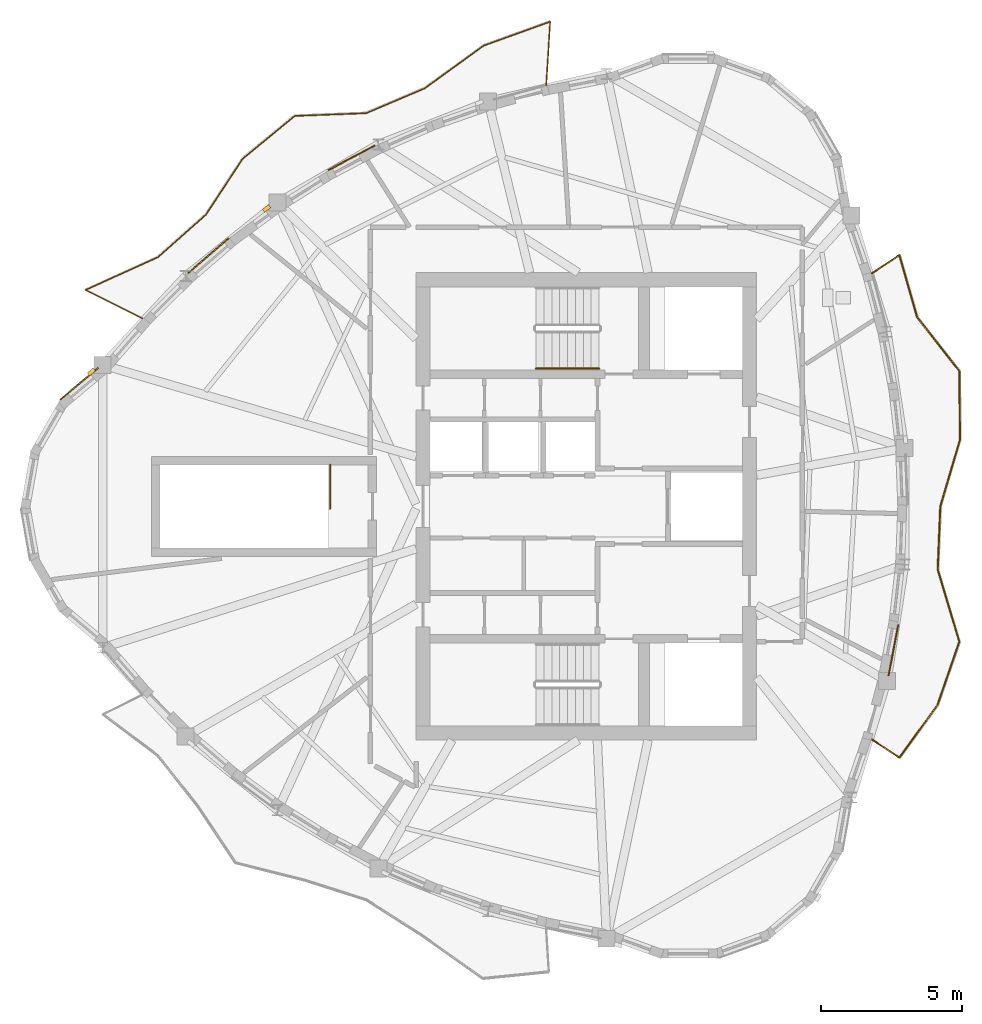
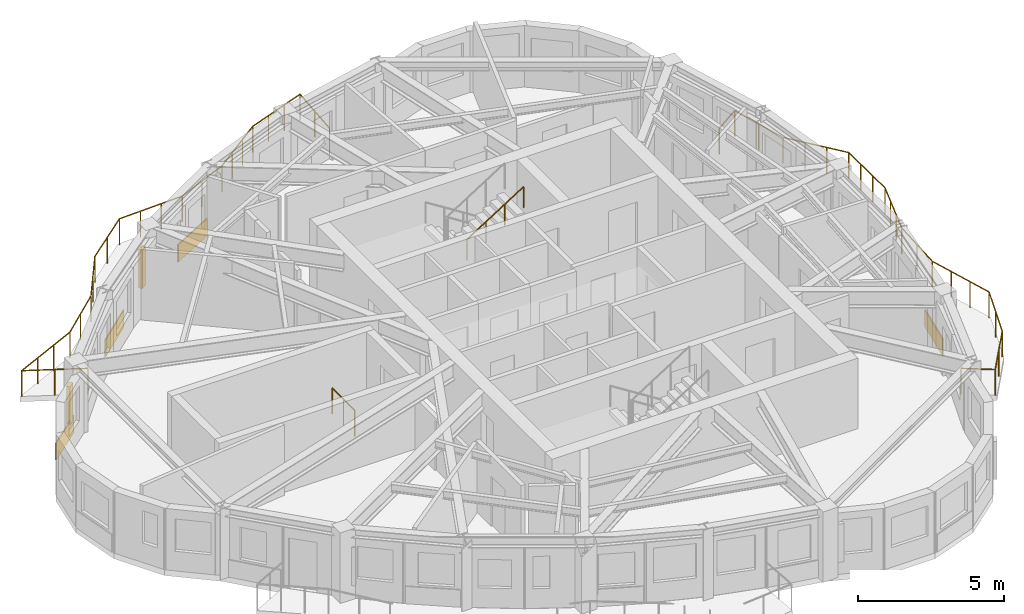
# One storey, part 10 of 12: 4 coverings, 4 railings, 2 shading devices.
"""IFC4 building model written with IfcOpenShell, lengths in metres."""

import ifcopenshell
import ifcopenshell.guid

model = None  # the IFC model being written
_history = None  # IfcOwnerHistory: only IFC2X3 demands one
_inside = {}  # id of a spatial element -> (the spatial element, [elements in it])
_under = {}  # id of a project, library or spatial element -> (it, [spatial elements below it])
_declared = {}  # id of a project -> (the project, [libraries it declares])
_typed = {}  # id of a type object -> (the type object, [elements of that type])
_made_of = {}  # id of a material, layer set ... -> (it, [elements and type objects made of it])


def new_model(schema):
    """Start an empty IFC model of exactly this schema.

    Asked for "IFC4X3", IfcOpenShell would pick the latest addendum, in which some entities
    have other attributes; the version numbers below select the first issue.
    IFC2X3 requires an IfcOwnerHistory on every rooted entity: one is made here for all.
    """
    global model, _history
    if schema == "IFC4X3":
        model = ifcopenshell.file(schema_version=(4, 3, 0, 0))
    else:
        model = ifcopenshell.file(schema=schema)
    _inside.clear()
    _under.clear()
    _declared.clear()
    _typed.clear()
    _made_of.clear()
    _history = None
    if model.schema == "IFC2X3":
        org = make("IfcOrganization", Name="unknown")
        user = make(
            "IfcPersonAndOrganization",
            ThePerson=make("IfcPerson", FamilyName="unknown"),
            TheOrganization=org,
        )
        app = make(
            "IfcApplication",
            ApplicationDeveloper=org,
            Version="unknown",
            ApplicationFullName="unknown",
            ApplicationIdentifier="unknown",
        )
        _history = make(
            "IfcOwnerHistory",
            OwningUser=user,
            OwningApplication=app,
            ChangeAction="ADDED",
            CreationDate=0,
        )
    return model


def make(cls, **values):
    """One entity of the class cls with the attributes given. An attribute that is None is left unset."""
    return model.create_entity(
        cls, **{name: value for name, value in values.items() if value is not None}
    )


def rooted(cls, **values):
    """An entity with a GlobalId (a new one), such as an element, a storey or a relation."""
    return make(cls, GlobalId=ifcopenshell.guid.new(), OwnerHistory=_history, **values)


def si_unit(unit_type, name, prefix=None):
    """IfcSIUnit, for example si_unit("LENGTHUNIT", "METRE", prefix="MILLI")."""
    return make("IfcSIUnit", UnitType=unit_type, Prefix=prefix, Name=name)


def assignment(units):
    """IfcUnitAssignment: the units of a project."""
    return None if units is None else make("IfcUnitAssignment", Units=units)


def point(xyz):
    """IfcCartesianPoint."""
    return None if xyz is None else make("IfcCartesianPoint", Coordinates=xyz)


def direction(xyz):
    """IfcDirection."""
    return None if xyz is None else make("IfcDirection", DirectionRatios=xyz)


def frame(location, z_axis=None, x_axis=None):
    """IfcAxis2Placement3D, a coordinate frame: its origin and axes. An axis left out is left unset."""
    return make(
        "IfcAxis2Placement3D",
        Location=point(location),
        Axis=direction(z_axis),
        RefDirection=direction(x_axis),
    )


def frame_2d(location, x_axis=None):
    """IfcAxis2Placement2D, a coordinate frame in the plane: its origin and x axis."""
    return make(
        "IfcAxis2Placement2D", Location=point(location), RefDirection=direction(x_axis)
    )


def origin():
    """The frame at (0, 0, 0) with its axes left unset."""
    return frame((0.0, 0.0, 0.0))


def origin_2d():
    """The frame at (0, 0) in the plane with its x axis left unset."""
    return frame_2d((0.0, 0.0))


def place(relative_to, where):
    """IfcLocalPlacement: puts the frame where relative to a parent placement (None: the world)."""
    return make(
        "IfcLocalPlacement", PlacementRelTo=relative_to, RelativePlacement=where
    )


def context(
    kind, dimensions, precision=None, world=None, true_north=None, identifier=None
):
    """IfcGeometricRepresentationContext, for example the 3D "Model" context."""
    return make(
        "IfcGeometricRepresentationContext",
        ContextIdentifier=identifier,
        ContextType=kind,
        CoordinateSpaceDimension=dimensions,
        Precision=precision,
        WorldCoordinateSystem=world,
        TrueNorth=true_north,
    )


def subcontext(parent, identifier, kind, view, scale=None):
    """IfcGeometricRepresentationSubContext, for example "Body" below "Model"."""
    return make(
        "IfcGeometricRepresentationSubContext",
        ContextIdentifier=identifier,
        ContextType=kind,
        ParentContext=parent,
        TargetScale=scale,
        TargetView=view,
    )


def project(units=None, contexts=None):
    """IfcProject with its units and contexts."""
    return rooted(
        "IfcProject",
        Name="project",
        RepresentationContexts=contexts,
        UnitsInContext=assignment(units),
    )


def spatial(cls, under=None, at=None, **own):
    """A site, building, storey or space (cls), placed at a placement, below another one or the project."""
    s = rooted(cls, ObjectPlacement=at, **own)
    if under is not None:
        _under.setdefault(under.id(), (under, []))[1].append(s)
    return s


def profile(cls, at=None, kind="AREA", **sizes):
    """A parametric profile (cls). Its sizes go by their IFC names, for example OverallWidth=200.0."""
    return make(cls, ProfileType=kind, Position=at, **sizes)


def rectangle(**sizes):
    """IfcRectangleProfileDef."""
    return profile("IfcRectangleProfileDef", **sizes)


def circle(**sizes):
    """IfcCircleProfileDef."""
    return profile("IfcCircleProfileDef", **sizes)


def extrude(swept, where, along, depth):
    """IfcExtrudedAreaSolid: the profile swept, set in the frame where, extruded along a direction by depth."""
    return make(
        "IfcExtrudedAreaSolid",
        SweptArea=swept,
        Position=where,
        ExtrudedDirection=direction(along),
        Depth=depth,
    )


def shape(context_of_items, identifier, shape_type, items):
    """IfcShapeRepresentation: the items that make up one representation, for example the "Body"."""
    return make(
        "IfcShapeRepresentation",
        ContextOfItems=context_of_items,
        RepresentationIdentifier=identifier,
        RepresentationType=shape_type,
        Items=items,
    )


def source(mapping_origin, context_of_items, identifier, shape_type, items):
    """IfcRepresentationMap: a shape defined once, which mapped items show again and again."""
    return make(
        "IfcRepresentationMap",
        MappingOrigin=mapping_origin,
        MappedRepresentation=shape(context_of_items, identifier, shape_type, items),
    )


def transform(
    local_origin,
    x_axis=None,
    y_axis=None,
    z_axis=None,
    scale=None,
    scale2=None,
    scale3=None,
    uniform=True,
):
    """IfcCartesianTransformationOperator3D, or its non-uniform kind. x_axis, y_axis, z_axis: its Axis1, 2, 3."""
    if uniform:
        return make(
            "IfcCartesianTransformationOperator3D",
            Axis1=direction(x_axis),
            Axis2=direction(y_axis),
            LocalOrigin=point(local_origin),
            Scale=scale,
            Axis3=direction(z_axis),
        )
    return make(
        "IfcCartesianTransformationOperator3DnonUniform",
        Axis1=direction(x_axis),
        Axis2=direction(y_axis),
        LocalOrigin=point(local_origin),
        Scale=scale,
        Axis3=direction(z_axis),
        Scale2=scale2,
        Scale3=scale3,
    )


def mapped(mapping_source, mapping_target):
    """IfcMappedItem: shows the shape of a source again, moved by a transform."""
    return make(
        "IfcMappedItem", MappingSource=mapping_source, MappingTarget=mapping_target
    )


def material(Name=None, Category=None):
    """IfcMaterial."""
    return make("IfcMaterial", Name=Name, Category=Category)


def layer(
    of_material, thickness, ventilated=None, Name=None, Category=None, Priority=None
):
    """IfcMaterialLayer: one layer of a wall or slab, of a material (None: an air gap)."""
    return make(
        "IfcMaterialLayer",
        Material=of_material,
        LayerThickness=thickness,
        IsVentilated=ventilated,
        Name=Name,
        Category=Category,
        Priority=Priority,
    )


def layer_set(layers, Name=None):
    """IfcMaterialLayerSet."""
    return make("IfcMaterialLayerSet", MaterialLayers=layers, LayerSetName=Name)


def made_of(thing, what):
    """Note that an element or type object is made of a material, layer set ...; save() writes the relation."""
    if what is not None:
        _made_of.setdefault(what.id(), (what, []))[1].append(thing)
    return thing


def type_object(cls, material=None, **own):
    """A type object (cls), such as IfcWallType, which elements share."""
    return made_of(rooted(cls, **own), material)


def element(
    cls,
    number,
    at=None,
    inside=None,
    cuts=None,
    type_object=None,
    material=None,
    context=None,
    identifier="Body",
    shape_type=None,
    held_by="IfcProductDefinitionShape",
    body=None,
    shapes=None,
    **own,
):
    """One element of the class cls, such as IfcWall. Its Tag is "e" and its number.

    at: its placement. inside: the storey or other place that contains it. cuts: it is an
    opening in that element (IfcRelVoidsElement). A single representation is given by context,
    identifier, shape_type and body (its items); several are given by shapes. held_by: the class
    of the entity that holds the representations. save() writes the other relations.
    """
    e = rooted(cls, Tag="e%d" % number, ObjectPlacement=at, **own)
    if body is not None:
        shapes = [shape(context, identifier, shape_type, body)]
    if shapes is not None:
        e.Representation = make(held_by, Representations=shapes)
    if inside is not None:
        _inside.setdefault(inside.id(), (inside, []))[1].append(e)
    if cuts is not None:
        rooted(
            "IfcRelVoidsElement", RelatingBuildingElement=cuts, RelatedOpeningElement=e
        )
    if type_object is not None:
        _typed.setdefault(type_object.id(), (type_object, []))[1].append(e)
    return made_of(e, material)


def aggregate(whole, parts):
    """IfcRelAggregates: a whole, such as a stair, and the parts it consists of."""
    return rooted("IfcRelAggregates", RelatingObject=whole, RelatedObjects=parts)


def save(model, path):
    """Write the relations noted so far, then the file.

    IfcRelAggregates (storeys below a building ...), IfcRelContainedInSpatialStructure (elements
    in a storey), IfcRelDefinesByType, IfcRelAssociatesMaterial and IfcRelDeclares: one each for
    every whole, place, type object, material and project.
    """
    for whole, parts in _under.values():
        aggregate(whole, parts)
    for where, things in _inside.values():
        rooted(
            "IfcRelContainedInSpatialStructure",
            RelatedElements=things,
            RelatingStructure=where,
        )
    for kind, things in _typed.values():
        rooted("IfcRelDefinesByType", RelatedObjects=things, RelatingType=kind)
    for what, things in _made_of.values():
        rooted("IfcRelAssociatesMaterial", RelatedObjects=things, RelatingMaterial=what)
    for by, libraries in _declared.values():
        rooted("IfcRelDeclares", RelatingContext=by, RelatedDefinitions=libraries)
    model.write(path)


model = new_model("IFC4")

# Units and contexts
model_context = context("Model", 3, precision=1e-05, world=origin(), true_north=direction((0.0, 1.0)))
body_context = subcontext(model_context, "Body", "Model", "MODEL_VIEW")
ifc_project = project(units=[si_unit("LENGTHUNIT", "METRE"), si_unit("AREAUNIT", "SQUARE_METRE"), si_unit("VOLUMEUNIT", "CUBIC_METRE"), si_unit("PLANEANGLEUNIT", "RADIAN"), si_unit("MASSUNIT", "GRAM", prefix="KILO")], contexts=[model_context])

# Site, building, storey
site_placement = place(None, origin())
site = spatial("IfcSite", under=ifc_project, at=site_placement, CompositionType="ELEMENT")
building_placement = place(site_placement, origin())
building = spatial("IfcBuilding", under=site, at=building_placement, Name="Qafzar Sky-Pleat Residences", CompositionType="ELEMENT")
storey_placement = place(building_placement, frame((0.0, 0.0, 250.0)))
storey = spatial("IfcBuildingStorey", under=building, at=storey_placement, Name="L75", CompositionType="ELEMENT", Elevation=250.0)

# Shading devices
ifc_material_1 = material(Name="Honed Riyadh limestone solar fin", Category="masonry")
ifc_layer_1 = layer(ifc_material_1, 0.139892578125)
ifc_layer_set_1 = layer_set([ifc_layer_1], Name="Honed Riyadh limestone solar fin")
shading_device_type = type_object("IfcShadingDeviceType", Name="SHD-FIN-STONE", PredefinedType="SHUTTER", material=ifc_layer_set_1)
shared_shape_1 = source(origin(), body_context, "Body", "SweptSolid", [
    extrude(rectangle(XDim=0.139892578125, YDim=0.280029296875, at=origin_2d()), origin(), (0.0, 0.0, 1.0), 1.60009765625),
])
for number, where, z_axis, x_axis, name in (
    (1, (12.77001953125, 30.7763671875, 0.599853515625), (0.0, 0.0, 1.0), (-0.642754210861, 0.76607246682, 0.0), "L75 Limestone Solar Fin 1"),
    (2, (18.992431640625, 36.58154296875, 0.599853515625), (0.0, 0.0, 1.0), (-0.594858533084, 0.803830408492, 0.0), "L75 Limestone Solar Fin 45"),
):
    element("IfcShadingDevice", number, at=place(storey_placement, frame(where, z_axis=z_axis, x_axis=x_axis)), inside=storey, type_object=shading_device_type, Name=name, PredefinedType="SHUTTER", context=body_context, shape_type="MappedRepresentation", body=[
        mapped(shared_shape_1, transform((0.0, 0.0, 0.0), x_axis=(1.0, 0.0, 0.0), y_axis=(0.0, 1.0, 0.0), z_axis=(0.0, 0.0, 1.0), scale=1.0)),
    ])

# Covering
ifc_material_2 = material(Name="Honed Riyadh Tuwaiq limestone cladding", Category="masonry")
ifc_layer_2 = layer(ifc_material_2, 0.044921875)
ifc_layer_set_2 = layer_set([ifc_layer_2], Name="Honed Riyadh Tuwaiq limestone cladding")
covering_type = type_object("IfcCoveringType", Name="COV-CLAD-STONE", PredefinedType="CLADDING", material=ifc_layer_set_2)
shared_shape_2 = source(origin(), body_context, "Body", "SweptSolid", [
    extrude(rectangle(XDim=1.76611328125, YDim=0.044921875, at=origin_2d()), origin(), (0.0, 0.0, 1.0), 0.719970703125),
])
covering_1_placement = place(storey_placement, frame((12.330322265625, 30.351318359375, 0.02001953125), z_axis=(0.0, 0.0, 1.0), x_axis=(-0.76607417096, -0.642752179762, 0.0)))
element("IfcCovering", 3, at=covering_1_placement, inside=storey, type_object=covering_type, Name="L75 Riyadh Limestone Spandrel Cladding 1", PredefinedType="CLADDING", context=body_context, shape_type="MappedRepresentation", body=[
    mapped(shared_shape_2, transform((0.0, 0.0, 0.0), x_axis=(1.0, 0.0, 0.0), y_axis=(0.0, 1.0, 0.0), z_axis=(0.0, 0.0, 1.0), scale=1.0)),
])

# Railings
ifc_material_3 = material(Name="Laminated glass and bronze steel balustrade", Category="steel")
railing_type_1 = type_object("IfcRailingType", Name="RAIL-BAL-1100", PredefinedType="BALUSTRADE", material=ifc_material_3)
shared_shape_3 = source(origin(), body_context, "Body", "SweptSolid", [
    extrude(circle(Radius=0.02392578125, at=origin_2d()), frame((0.0, 0.0, 1.076171875), z_axis=(0.833450721397, -0.552593788422, 0.0), x_axis=(0.552593788422, 0.833450721397, 0.0)), (0.0, 0.0, 1.0), 1.177978515625),
    extrude(circle(Radius=0.02392578125, at=origin_2d()), frame((0.981689453125, -0.65087890625, 1.076171875), z_axis=(0.586856651155, 0.809690849025, 0.0), x_axis=(-0.809690849025, 0.586856651155, 0.0)), (0.0, 0.0, 1.0), 2.308349609375),
    extrude(circle(Radius=0.02392578125, at=origin_2d()), frame((2.33642578125, 1.21826171875, 1.076171875), z_axis=(0.326575214364, 0.945171216957, 0.0), x_axis=(-0.945171216957, 0.326575214364, 0.0)), (0.0, 0.0, 1.0), 2.381103515625),
    extrude(circle(Radius=0.02392578125, at=origin_2d()), frame((3.114013671875, 3.46875, 1.076171875), z_axis=(-0.28765775721, 0.957733269087, 0.0), x_axis=(-0.957733269087, -0.28765775721, 0.0)), (0.0, 0.0, 1.0), 2.67431640625),
    extrude(circle(Radius=0.02392578125, at=origin_2d()), frame((2.3447265625, 6.030029296875, 1.076171875), z_axis=(0.040957231652, 0.999160900544, 0.0), x_axis=(-0.999160900544, 0.040957231652, 0.0)), (0.0, 0.0, 1.0), 2.247314453125),
    extrude(circle(Radius=0.02392578125, at=origin_2d()), frame((2.436767578125, 8.275390625, 1.076171875), z_axis=(0.283430981813, 0.95899263738, 0.0), x_axis=(-0.95899263738, 0.283430981813, 0.0)), (0.0, 0.0, 1.0), 2.466064453125),
    extrude(circle(Radius=0.02392578125, at=origin_2d()), frame((3.1357421875, 10.640380859375, 1.076171875), z_axis=(-0.008898757731, 0.999960405272, 0.0), x_axis=(-0.999960405272, -0.008898757731, 0.0)), (0.0, 0.0, 1.0), 2.441650390625),
    extrude(circle(Radius=0.02392578125, at=origin_2d()), frame((3.114013671875, 13.08203125, 1.076171875), z_axis=(-0.618279283458, 0.78595847705, 0.0), x_axis=(-0.78595847705, -0.618279283458, 0.0)), (0.0, 0.0, 1.0), 2.42578125),
    extrude(circle(Radius=0.02392578125, at=origin_2d()), frame((1.6142578125, 14.988525390625, 1.076171875), z_axis=(-0.274819188266, 0.961495924984, 0.0), x_axis=(-0.961495924984, -0.274819188266, 0.0)), (0.0, 0.0, 1.0), 2.3017578125),
    extrude(circle(Radius=0.02392578125, at=origin_2d()), frame((0.981689453125, 17.20166015625, 1.076171875), z_axis=(-0.833450721397, -0.552593788422, 0.0), x_axis=(0.552593788422, -0.833450721397, 0.0)), (0.0, 0.0, 1.0), 1.177978515625),
    extrude(circle(Radius=0.02099609375, at=origin_2d()), origin(), (0.0, 0.0, 1.0), 1.052001953125),
    extrude(circle(Radius=0.02099609375, at=origin_2d()), frame((0.981689453125, -0.65087890625, 0.0)), (0.0, 0.0, 1.0), 1.052001953125),
    extrude(circle(Radius=0.02099609375, at=origin_2d()), frame((1.6591796875, 0.28369140625, 0.0)), (0.0, 0.0, 1.0), 1.052001953125),
    extrude(circle(Radius=0.02099609375, at=origin_2d()), frame((2.33642578125, 1.21826171875, 0.0)), (0.0, 0.0, 1.0), 1.052001953125),
    extrude(circle(Radius=0.02099609375, at=origin_2d()), frame((2.72509765625, 2.343505859375, 0.0)), (0.0, 0.0, 1.0), 1.052001953125),
    extrude(circle(Radius=0.02099609375, at=origin_2d()), frame((3.114013671875, 3.46875, 0.0)), (0.0, 0.0, 1.0), 1.052001953125),
    extrude(circle(Radius=0.02099609375, at=origin_2d()), frame((2.857666015625, 4.322509765625, 0.0)), (0.0, 0.0, 1.0), 1.052001953125),
    extrude(circle(Radius=0.02099609375, at=origin_2d()), frame((2.60107421875, 5.17626953125, 0.0)), (0.0, 0.0, 1.0), 1.052001953125),
    extrude(circle(Radius=0.02099609375, at=origin_2d()), frame((2.3447265625, 6.030029296875, 0.0)), (0.0, 0.0, 1.0), 1.052001953125),
    extrude(circle(Radius=0.02099609375, at=origin_2d()), frame((2.390625, 7.15283203125, 0.0)), (0.0, 0.0, 1.0), 1.052001953125),
    extrude(circle(Radius=0.02099609375, at=origin_2d()), frame((2.436767578125, 8.275390625, 0.0)), (0.0, 0.0, 1.0), 1.052001953125),
    extrude(circle(Radius=0.02099609375, at=origin_2d()), frame((2.669677734375, 9.063720703125, 0.0)), (0.0, 0.0, 1.0), 1.052001953125),
    extrude(circle(Radius=0.02099609375, at=origin_2d()), frame((2.90283203125, 9.85205078125, 0.0)), (0.0, 0.0, 1.0), 1.052001953125),
    extrude(circle(Radius=0.02099609375, at=origin_2d()), frame((3.1357421875, 10.640380859375, 0.0)), (0.0, 0.0, 1.0), 1.052001953125),
    extrude(circle(Radius=0.02099609375, at=origin_2d()), frame((3.12841796875, 11.454345703125, 0.0)), (0.0, 0.0, 1.0), 1.052001953125),
    extrude(circle(Radius=0.02099609375, at=origin_2d()), frame((3.121337890625, 12.26806640625, 0.0)), (0.0, 0.0, 1.0), 1.052001953125),
    extrude(circle(Radius=0.02099609375, at=origin_2d()), frame((3.114013671875, 13.08203125, 0.0)), (0.0, 0.0, 1.0), 1.052001953125),
    extrude(circle(Radius=0.02099609375, at=origin_2d()), frame((2.614013671875, 13.717529296875, 0.0)), (0.0, 0.0, 1.0), 1.052001953125),
    extrude(circle(Radius=0.02099609375, at=origin_2d()), frame((2.1142578125, 14.35302734375, 0.0)), (0.0, 0.0, 1.0), 1.052001953125),
    extrude(circle(Radius=0.02099609375, at=origin_2d()), frame((1.6142578125, 14.988525390625, 0.0)), (0.0, 0.0, 1.0), 1.052001953125),
    extrude(circle(Radius=0.02099609375, at=origin_2d()), frame((1.2978515625, 16.09521484375, 0.0)), (0.0, 0.0, 1.0), 1.052001953125),
    extrude(circle(Radius=0.02099609375, at=origin_2d()), frame((0.981689453125, 17.20166015625, 0.0)), (0.0, 0.0, 1.0), 1.052001953125),
    extrude(circle(Radius=0.02099609375, at=origin_2d()), frame((0.0, 16.55078125, 0.0)), (0.0, 0.0, 1.0), 1.052001953125),
])
railing_1_placement = place(storey_placement, frame((40.484619140625, 17.724609375, 0.0)))
element("IfcRailing", 4, at=railing_1_placement, inside=storey, type_object=railing_type_1, Name="L75 Pleated Balcony 1 Balustrade", PredefinedType="BALUSTRADE", context=body_context, shape_type="MappedRepresentation", body=[
    mapped(shared_shape_3, transform((0.0, 0.0, 0.0), x_axis=(1.0, 0.0, 0.0), y_axis=(0.0, 1.0, 0.0), z_axis=(0.0, 0.0, 1.0), scale=1.0)),
])
shared_shape_4 = source(origin(), body_context, "Body", "SweptSolid", [
    extrude(circle(Radius=0.02392578125, at=origin_2d()), frame((0.0, 0.0, 1.076171875), z_axis=(0.061715590593, 0.998093776094, 0.0), x_axis=(-0.998093776094, 0.061715590593, 0.0)), (0.0, 0.0, 1.0), 2.270751953125),
    extrude(circle(Radius=0.02392578125, at=origin_2d()), frame((0.14013671875, 2.266357421875, 1.076171875), z_axis=(-0.940737430186, -0.339135794995, 0.0), x_axis=(0.339135794995, -0.940737430186, 0.0)), (0.0, 0.0, 1.0), 2.512451171875),
    extrude(circle(Radius=0.02392578125, at=origin_2d()), frame((-2.223388671875, 1.414306640625, 1.076171875), z_axis=(-0.809869436571, -0.586610173546, 0.0), x_axis=(0.586610173546, -0.809869436571, 0.0)), (0.0, 0.0, 1.0), 2.586181640625),
    extrude(circle(Radius=0.02392578125, at=origin_2d()), frame((-4.31787109375, -0.102783203125, 1.076171875), z_axis=(-0.920505136057, -0.390730462713, 0.0), x_axis=(0.390730462713, -0.920505136057, 0.0)), (0.0, 0.0, 1.0), 2.25634765625),
    extrude(circle(Radius=0.02392578125, at=origin_2d()), frame((-6.394775390625, -0.984375, 1.076171875), z_axis=(-0.999274607709, -0.038082258171, 0.0), x_axis=(0.038082258171, -0.999274607709, 0.0)), (0.0, 0.0, 1.0), 2.538818359375),
    extrude(circle(Radius=0.02392578125, at=origin_2d()), frame((-8.931640625, -1.0810546875, 1.076171875), z_axis=(-0.772171211019, -0.635414526804, 0.0), x_axis=(0.635414526804, -0.772171211019, 0.0)), (0.0, 0.0, 1.0), 2.3974609375),
    extrude(circle(Radius=0.02392578125, at=origin_2d()), frame((-10.782958984375, -2.6044921875, 1.076171875), z_axis=(-0.54903621046, -0.835798564012, 0.0), x_axis=(0.835798564012, -0.54903621046, 0.0)), (0.0, 0.0, 1.0), 2.372802734375),
    extrude(circle(Radius=0.02392578125, at=origin_2d()), frame((-12.085693359375, -4.587646484375, 1.076171875), z_axis=(-0.748332408445, -0.663323907658, 0.0), x_axis=(0.663323907658, -0.748332408445, 0.0)), (0.0, 0.0, 1.0), 2.274658203125),
    extrude(circle(Radius=0.02392578125, at=origin_2d()), frame((-13.787841796875, -6.096435546875, 1.076171875), z_axis=(-0.911012268258, -0.412379251519, 0.0), x_axis=(0.412379251519, -0.911012268258, 0.0)), (0.0, 0.0, 1.0), 2.83056640625),
    extrude(circle(Radius=0.02392578125, at=origin_2d()), frame((-16.366455078125, -7.263671875, 1.076171875), z_axis=(0.895221336926, -0.445621765529, 0.0), x_axis=(0.445621765529, 0.895221336926, 0.0)), (0.0, 0.0, 1.0), 2.27099609375),
    extrude(circle(Radius=0.02099609375, at=origin_2d()), origin(), (0.0, 0.0, 1.0), 1.052001953125),
    extrude(circle(Radius=0.02099609375, at=origin_2d()), frame((0.070068359375, 1.13330078125, 0.0)), (0.0, 0.0, 1.0), 1.052001953125),
    extrude(circle(Radius=0.02099609375, at=origin_2d()), frame((0.14013671875, 2.266357421875, 0.0)), (0.0, 0.0, 1.0), 1.052001953125),
    extrude(circle(Radius=0.02099609375, at=origin_2d()), frame((-0.647705078125, 1.982421875, 0.0)), (0.0, 0.0, 1.0), 1.052001953125),
    extrude(circle(Radius=0.02099609375, at=origin_2d()), frame((-1.435546875, 1.6982421875, 0.0)), (0.0, 0.0, 1.0), 1.052001953125),
    extrude(circle(Radius=0.02099609375, at=origin_2d()), frame((-2.223388671875, 1.414306640625, 0.0)), (0.0, 0.0, 1.0), 1.052001953125),
    extrude(circle(Radius=0.02099609375, at=origin_2d()), frame((-2.921630859375, 0.90869140625, 0.0)), (0.0, 0.0, 1.0), 1.052001953125),
    extrude(circle(Radius=0.02099609375, at=origin_2d()), frame((-3.61962890625, 0.40283203125, 0.0)), (0.0, 0.0, 1.0), 1.052001953125),
    extrude(circle(Radius=0.02099609375, at=origin_2d()), frame((-4.31787109375, -0.102783203125, 0.0)), (0.0, 0.0, 1.0), 1.052001953125),
    extrude(circle(Radius=0.02099609375, at=origin_2d()), frame((-5.3564453125, -0.54345703125, 0.0)), (0.0, 0.0, 1.0), 1.052001953125),
    extrude(circle(Radius=0.02099609375, at=origin_2d()), frame((-6.394775390625, -0.984375, 0.0)), (0.0, 0.0, 1.0), 1.052001953125),
    extrude(circle(Radius=0.02099609375, at=origin_2d()), frame((-7.240478515625, -1.0166015625, 0.0)), (0.0, 0.0, 1.0), 1.052001953125),
    extrude(circle(Radius=0.02099609375, at=origin_2d()), frame((-8.0859375, -1.048828125, 0.0)), (0.0, 0.0, 1.0), 1.052001953125),
    extrude(circle(Radius=0.02099609375, at=origin_2d()), frame((-8.931640625, -1.0810546875, 0.0)), (0.0, 0.0, 1.0), 1.052001953125),
    extrude(circle(Radius=0.02099609375, at=origin_2d()), frame((-9.857421875, -1.8427734375, 0.0)), (0.0, 0.0, 1.0), 1.052001953125),
    extrude(circle(Radius=0.02099609375, at=origin_2d()), frame((-10.782958984375, -2.6044921875, 0.0)), (0.0, 0.0, 1.0), 1.052001953125),
    extrude(circle(Radius=0.02099609375, at=origin_2d()), frame((-11.434326171875, -3.59619140625, 0.0)), (0.0, 0.0, 1.0), 1.052001953125),
    extrude(circle(Radius=0.02099609375, at=origin_2d()), frame((-12.085693359375, -4.587646484375, 0.0)), (0.0, 0.0, 1.0), 1.052001953125),
    extrude(circle(Radius=0.02099609375, at=origin_2d()), frame((-12.936767578125, -5.342041015625, 0.0)), (0.0, 0.0, 1.0), 1.052001953125),
    extrude(circle(Radius=0.02099609375, at=origin_2d()), frame((-13.787841796875, -6.096435546875, 0.0)), (0.0, 0.0, 1.0), 1.052001953125),
    extrude(circle(Radius=0.02099609375, at=origin_2d()), frame((-14.6474609375, -6.485595703125, 0.0)), (0.0, 0.0, 1.0), 1.052001953125),
    extrude(circle(Radius=0.02099609375, at=origin_2d()), frame((-15.5068359375, -6.87451171875, 0.0)), (0.0, 0.0, 1.0), 1.052001953125),
    extrude(circle(Radius=0.02099609375, at=origin_2d()), frame((-16.366455078125, -7.263671875, 0.0)), (0.0, 0.0, 1.0), 1.052001953125),
    extrude(circle(Radius=0.02099609375, at=origin_2d()), frame((-15.35009765625, -7.76953125, 0.0)), (0.0, 0.0, 1.0), 1.052001953125),
    extrude(circle(Radius=0.02099609375, at=origin_2d()), frame((-14.33349609375, -8.275634765625, 0.0)), (0.0, 0.0, 1.0), 1.052001953125),
])
railing_2_placement = place(storey_placement, frame((28.924560546875, 40.94970703125, 0.0)))
element("IfcRailing", 5, at=railing_2_placement, inside=storey, type_object=railing_type_1, Name="L75 Pleated Balcony 2 Balustrade", PredefinedType="BALUSTRADE", context=body_context, shape_type="MappedRepresentation", body=[
    mapped(shared_shape_4, transform((0.0, 0.0, 0.0), x_axis=(1.0, 0.0, 0.0), y_axis=(0.0, 1.0, 0.0), z_axis=(0.0, 0.0, 1.0), scale=1.0)),
])

# Coverings
shared_shape_5 = source(origin(), body_context, "Body", "SweptSolid", [
    extrude(rectangle(XDim=1.846923828125, YDim=0.044921875, at=origin_2d()), origin(), (0.0, 0.0, 1.0), 0.719970703125),
])
covering_2_placement = place(storey_placement, frame((41.25439453125, 20.890869140625, 0.02001953125), z_axis=(0.0, 0.0, 1.0), x_axis=(0.186632897237, 0.982429723527, 0.0)))
element("IfcCovering", 6, at=covering_2_placement, inside=storey, type_object=covering_type, Name="L75 Riyadh Limestone Spandrel Cladding 25", PredefinedType="CLADDING", context=body_context, shape_type="MappedRepresentation", body=[
    mapped(shared_shape_5, transform((0.0, 0.0, 0.0), x_axis=(1.0, 0.0, 0.0), y_axis=(0.0, 1.0, 0.0), z_axis=(0.0, 0.0, 1.0), scale=1.0)),
])
shared_shape_6 = source(origin(), body_context, "Body", "SweptSolid", [
    extrude(rectangle(XDim=1.878173828125, YDim=0.044921875, at=origin_2d()), origin(), (0.0, 0.0, 1.0), 0.719970703125),
])
covering_3_placement = place(storey_placement, frame((22.01318359375, 38.380615234375, 0.02001953125), z_axis=(0.0, 0.0, 1.0), x_axis=(-0.884387500281, -0.466753413856, 0.0)))
element("IfcCovering", 7, at=covering_3_placement, inside=storey, type_object=covering_type, Name="L75 Riyadh Limestone Spandrel Cladding 43", PredefinedType="CLADDING", context=body_context, shape_type="MappedRepresentation", body=[
    mapped(shared_shape_6, transform((0.0, 0.0, 0.0), x_axis=(1.0, 0.0, 0.0), y_axis=(0.0, 1.0, 0.0), z_axis=(0.0, 0.0, 1.0), scale=1.0)),
])
shared_shape_7 = source(origin(), body_context, "Body", "SweptSolid", [
    extrude(rectangle(XDim=1.909912109375, YDim=0.044921875, at=origin_2d()), origin(), (0.0, 0.0, 1.0), 0.719970703125),
])
covering_4_placement = place(storey_placement, frame((16.921630859375, 34.901123046875, 0.02001953125), z_axis=(0.0, 0.0, 1.0), x_axis=(-0.757454157709, -0.652888351075, 0.0)))
element("IfcCovering", 8, at=covering_4_placement, inside=storey, type_object=covering_type, Name="L75 Riyadh Limestone Spandrel Cladding 46", PredefinedType="CLADDING", context=body_context, shape_type="MappedRepresentation", body=[
    mapped(shared_shape_7, transform((0.0, 0.0, 0.0), x_axis=(1.0, 0.0, 0.0), y_axis=(0.0, 1.0, 0.0), z_axis=(0.0, 0.0, 1.0), scale=1.0)),
])

# Railings
ifc_material_4 = material(Name="Brushed stainless steel handrail", Category="steel")
railing_type_2 = type_object("IfcRailingType", Name="RAIL-STAIR-HAND", PredefinedType="HANDRAIL", material=ifc_material_4)
shared_shape_8 = source(origin(), body_context, "Body", "SweptSolid", [
    extrude(circle(Radius=0.02392578125, at=origin_2d()), frame((0.0, 0.0, 0.8759765625), z_axis=(0.8442293374, 0.0, 0.53598211339), x_axis=(0.0, 1.0, 0.0)), (0.0, 0.0, 1.0), 2.6533203125),
    extrude(circle(Radius=0.02099609375, at=origin_2d()), origin(), (0.0, 0.0, 1.0), 0.851806640625),
    extrude(circle(Radius=0.02099609375, at=origin_2d()), frame((0.74658203125, 0.0, 0.47412109375)), (0.0, 0.0, 1.0), 0.851806640625),
    extrude(circle(Radius=0.02099609375, at=origin_2d()), frame((1.493408203125, 0.0, 0.947998046875)), (0.0, 0.0, 1.0), 0.851806640625),
    extrude(circle(Radius=0.02099609375, at=origin_2d()), frame((2.239990234375, 0.0, 1.422119140625)), (0.0, 0.0, 1.0), 0.851806640625),
])
railing_3_placement = place(storey_placement, frame((28.56005859375, 30.89990234375, 1.77783203125)))
element("IfcRailing", 9, at=railing_3_placement, inside=storey, type_object=railing_type_2, Name="L75 ST2 stair handrail 2", PredefinedType="HANDRAIL", context=body_context, shape_type="MappedRepresentation", body=[
    mapped(shared_shape_8, transform((0.0, 0.0, 0.0), x_axis=(1.0, 0.0, 0.0), y_axis=(0.0, 1.0, 0.0), z_axis=(0.0, 0.0, 1.0), scale=1.0)),
])
ifc_material_5 = material(Name="Painted Steel S355 stair guardrail", Category="steel")
railing_type_3 = type_object("IfcRailingType", Name="RAIL-STAIR-GUARD", PredefinedType="GUARDRAIL", material=ifc_material_5)
shared_shape_9 = source(origin(), body_context, "Body", "SweptSolid", [
    extrude(circle(Radius=0.02392578125, at=origin_2d()), frame((0.0, 0.0, 1.076171875), z_axis=(0.0, -1.0, 0.0), x_axis=(1.0, 0.0, 0.0)), (0.0, 0.0, 1.0), 1.550048828125),
    extrude(circle(Radius=0.02099609375, at=origin_2d()), origin(), (0.0, 0.0, 1.0), 1.052001953125),
    extrude(circle(Radius=0.02099609375, at=origin_2d()), frame((0.0, -0.77490234375, 0.0)), (0.0, 0.0, 1.0), 1.052001953125),
    extrude(circle(Radius=0.02099609375, at=origin_2d()), frame((0.0, -1.550048828125, 0.0)), (0.0, 0.0, 1.0), 1.052001953125),
])
railing_4_placement = place(storey_placement, frame((21.25, 27.47509765625, 0.0)))
element("IfcRailing", 10, at=railing_4_placement, inside=storey, type_object=railing_type_3, Name="L75 ST3 top well guard 1", PredefinedType="GUARDRAIL", context=body_context, shape_type="MappedRepresentation", body=[
    mapped(shared_shape_9, transform((0.0, 0.0, 0.0), x_axis=(1.0, 0.0, 0.0), y_axis=(0.0, 1.0, 0.0), z_axis=(0.0, 0.0, 1.0), scale=1.0)),
])

save(model, "model.ifc")
